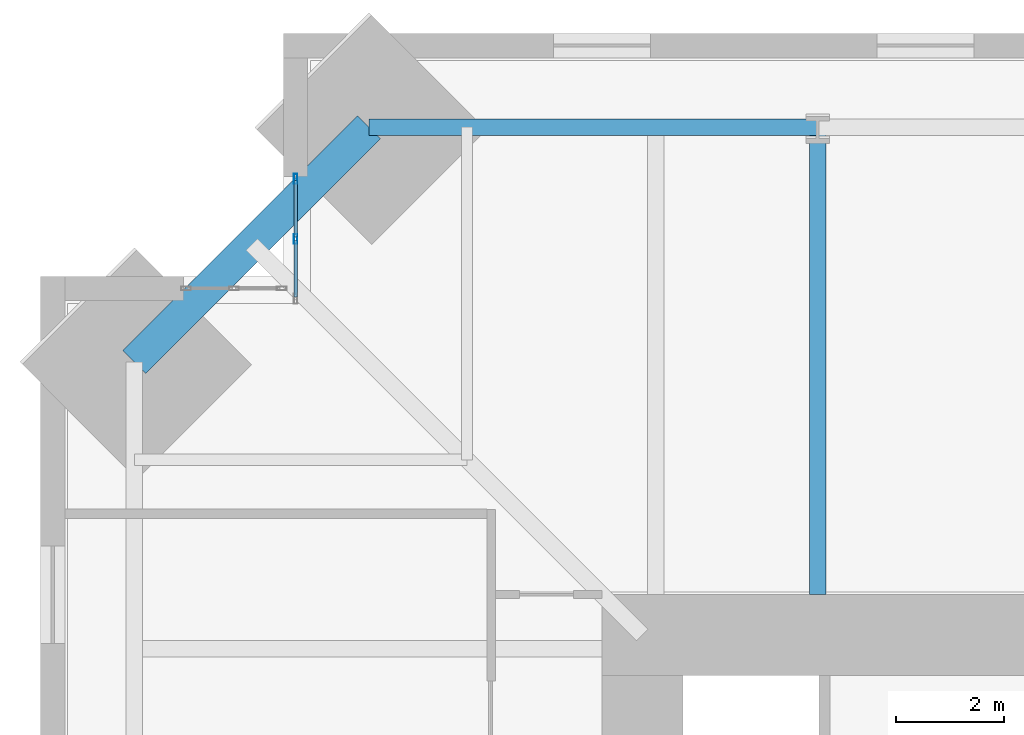
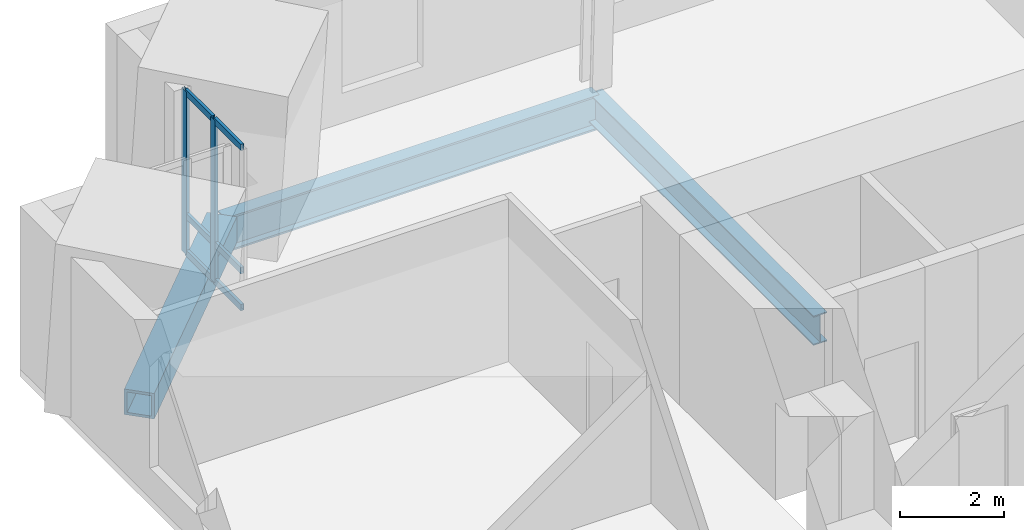
# One storey, part 7 of 17: 8 members, 3 beams, 1 element without a shape of its own.
"""IFC4 building model written with IfcOpenShell, lengths in metres."""

from ifc_helpers import new_model, si_unit, direction, frame, origin, origin_2d, place, context, subcontext, project, spatial, hollow_rectangle, i_section, extrude, material, material_profile, profile_set, type_object, element, aggregate, save


model = new_model("IFC4")

# Units and contexts
model_context = context("Model", 3, precision=1e-05, world=origin(), true_north=direction((0.0, 1.0)))
body_context = subcontext(model_context, "Body", "Model", "MODEL_VIEW")
ifc_project = project(units=[si_unit("LENGTHUNIT", "METRE"), si_unit("AREAUNIT", "SQUARE_METRE"), si_unit("VOLUMEUNIT", "CUBIC_METRE"), si_unit("PLANEANGLEUNIT", "RADIAN"), si_unit("MASSUNIT", "GRAM", prefix="KILO")], contexts=[model_context])

# Site, building, storey
site_placement = place(None, origin())
site = spatial("IfcSite", under=ifc_project, at=site_placement, CompositionType="ELEMENT")
building_placement = place(site_placement, origin())
building = spatial("IfcBuilding", under=site, at=building_placement, Name="Peilmerk Tower", CompositionType="ELEMENT")
storey_placement = place(building_placement, frame((0.0, 0.0, 253.800048828125)))
storey = spatial("IfcBuildingStorey", under=building, at=storey_placement, Name="L56", CompositionType="ELEMENT", Elevation=253.800048828125)

# Beams
ifc_material_1 = material(Name="Steel S355", Category="steel")
ifc_material_profile_1 = material_profile(ifc_material_1, i_section(OverallWidth=0.302978515625, OverallDepth=0.81396484375, WebThickness=0.02099609375, FlangeThickness=0.0400390625, at=origin_2d()), Name="HEM 800")
ifc_profile_set_1 = profile_set([ifc_material_profile_1], Name="Steel S355")
beam_type_1 = type_object("IfcBeamType", Name="B15 HEM 800 edge beam", PredefinedType="SPANDREL", material=ifc_profile_set_1)
beam_1_placement = place(storey_placement, frame((-8.0, 20.662841796875, -0.5771484375), z_axis=(-1.0, 0.0, 0.0), x_axis=(0.0, -1.0, 0.0)))
element("IfcBeam", 1, at=beam_1_placement, inside=storey, type_object=beam_type_1, Name="Edge beam L56", PredefinedType="SPANDREL", context=body_context, shape_type="SweptSolid", body=[
    extrude(i_section(OverallWidth=0.302978515625, OverallDepth=0.81396484375, WebThickness=0.02099609375, FlangeThickness=0.0400390625, at=origin_2d()), origin(), (0.0, 0.0, 1.0), 8.31298828125),
])
ifc_material_profile_2 = material_profile(ifc_material_1, i_section(OverallWidth=0.300048828125, OverallDepth=0.68994140625, WebThickness=0.014404296875, FlangeThickness=0.027099609375, at=origin_2d()), Name="HEA 700")
ifc_profile_set_2 = profile_set([ifc_material_profile_2], Name="Steel S355")
beam_type_2 = type_object("IfcBeamType", Name="B16 HEA 700 floor beam", PredefinedType="BEAM", material=ifc_profile_set_2)
beam_2_placement = place(storey_placement, frame((-8.0, 12.0, -0.51513671875), z_axis=(0.0, 1.0, 0.0), x_axis=(-1.0, 0.0, 0.0)))
element("IfcBeam", 2, at=beam_2_placement, inside=storey, type_object=beam_type_2, Name="Floor beam L56", PredefinedType="BEAM", context=body_context, shape_type="SweptSolid", body=[
    extrude(i_section(OverallWidth=0.300048828125, OverallDepth=0.68994140625, WebThickness=0.014404296875, FlangeThickness=0.027099609375, at=origin_2d()), origin(), (0.0, 0.0, 1.0), 8.662841796875),
])
ifc_material_2 = material(Name="Steel S460", Category="steel")
ifc_material_profile_3 = material_profile(ifc_material_2, hollow_rectangle(XDim=0.60009765625, YDim=0.60009765625, WallThickness=0.06005859375, at=origin_2d()), Name="BOX 600x600x60")
ifc_profile_set_3 = profile_set([ifc_material_profile_3], Name="Steel S460")
beam_type_3 = type_object("IfcBeamType", Name="B20 BOX 600x600x60 notch beam", PredefinedType="SPANDREL", material=ifc_profile_set_3)
beam_3_placement = place(storey_placement, frame((-20.662841796875, 16.31298828125, -0.469970703125), z_axis=(0.707106781187, 0.707106781187, 0.0), x_axis=(-0.707106781187, 0.707106781187, 0.0)))
element("IfcBeam", 3, at=beam_3_placement, inside=storey, type_object=beam_type_3, Name="Notch beam L56", PredefinedType="SPANDREL", context=body_context, shape_type="SweptSolid", body=[
    extrude(hollow_rectangle(XDim=0.60009765625, YDim=0.60009765625, WallThickness=0.06005859375, at=origin_2d()), origin(), (0.0, 0.0, 1.0), 6.151611328125),
])

# Curtain wall, members
ifc_material_3 = material(Name="Aluminium stick curtain wall", Category="aluminium")
curtain_wall_type = type_object("IfcCurtainWallType", Name="CW4 stick curtain wall, 2250 module", PredefinedType="NOTDEFINED", material=ifc_material_3)
curtain_wall_placement = place(storey_placement, origin())
curtain_wall = element("IfcCurtainWall", 4, at=curtain_wall_placement, inside=storey, type_object=curtain_wall_type, Name="Curtain wall CW4 NWA L56", PredefinedType="NOTDEFINED")
ifc_material_4 = material(Name="Aluminium EN AW-6063 T6", Category="aluminium")
ifc_material_profile_4 = material_profile(ifc_material_4, hollow_rectangle(XDim=0.06494140625, YDim=0.179931640625, WallThickness=0.0029296875, at=origin_2d()), Name="AL 180x65x3")
ifc_profile_set_4 = profile_set([ifc_material_profile_4], Name="Aluminium EN AW-6063 T6")
member_type_1 = type_object("IfcMemberType", Name="CW4-M AL 180x65x3 mullion", PredefinedType="MULLION", material=ifc_profile_set_4)
member_1_placement = place(storey_placement, frame((-17.675048828125, 18.59423828125, 0.0), z_axis=(0.0, 0.0, 1.0), x_axis=(-1.0, 0.0, 0.0)))
member_1 = element("IfcMember", 5, at=member_1_placement, type_object=member_type_1, Name="CW4 mullion 2", PredefinedType="MULLION", context=body_context, shape_type="SweptSolid", body=[
    extrude(hollow_rectangle(XDim=0.06494140625, YDim=0.179931640625, WallThickness=0.0029296875, at=origin_2d()), origin(), (0.0, 0.0, 1.0), 3.829833984375),
])
member_2_placement = place(storey_placement, frame((-17.675048828125, 19.706298828125, 0.0), z_axis=(0.0, 0.0, 1.0), x_axis=(-1.0, 0.0, 0.0)))
member_2 = element("IfcMember", 6, at=member_2_placement, type_object=member_type_1, Name="CW4 mullion 3", PredefinedType="MULLION", context=body_context, shape_type="SweptSolid", body=[
    extrude(hollow_rectangle(XDim=0.06494140625, YDim=0.179931640625, WallThickness=0.0029296875, at=origin_2d()), origin(), (0.0, 0.0, 1.0), 3.829833984375),
])
ifc_material_profile_5 = material_profile(ifc_material_4, hollow_rectangle(XDim=0.06494140625, YDim=0.14990234375, WallThickness=0.0029296875, at=origin_2d()), Name="AL 150x65x3")
ifc_profile_set_5 = profile_set([ifc_material_profile_5], Name="Aluminium EN AW-6063 T6")
member_type_2 = type_object("IfcMemberType", Name="CW4-T AL 150x65x3 transom", PredefinedType="USERDEFINED", material=ifc_profile_set_5)
member_3_placement = place(storey_placement, frame((-17.675048828125, 17.514892578125, 0.032470703125), z_axis=(0.0, 1.0, 0.0), x_axis=(-1.0, 0.0, 0.0)))
member_3 = element("IfcMember", 7, at=member_3_placement, type_object=member_type_2, Name="CW4 transom 1.1", ObjectType="TRANSOM", PredefinedType="USERDEFINED", context=body_context, shape_type="SweptSolid", body=[
    extrude(hollow_rectangle(XDim=0.06494140625, YDim=0.14990234375, WallThickness=0.0029296875, at=origin_2d()), origin(), (0.0, 0.0, 1.0), 1.046875),
])
member_4_placement = place(storey_placement, frame((-17.675048828125, 17.514892578125, 0.89990234375), z_axis=(0.0, 1.0, 0.0), x_axis=(-1.0, 0.0, 0.0)))
member_4 = element("IfcMember", 8, at=member_4_placement, type_object=member_type_2, Name="CW4 transom 1.2", ObjectType="TRANSOM", PredefinedType="USERDEFINED", context=body_context, shape_type="SweptSolid", body=[
    extrude(hollow_rectangle(XDim=0.06494140625, YDim=0.14990234375, WallThickness=0.0029296875, at=origin_2d()), origin(), (0.0, 0.0, 1.0), 1.046875),
])
member_5_placement = place(storey_placement, frame((-17.675048828125, 17.514892578125, 3.79736328125), z_axis=(0.0, 1.0, 0.0), x_axis=(-1.0, 0.0, 0.0)))
member_5 = element("IfcMember", 9, at=member_5_placement, type_object=member_type_2, Name="CW4 transom 1.3", ObjectType="TRANSOM", PredefinedType="USERDEFINED", context=body_context, shape_type="SweptSolid", body=[
    extrude(hollow_rectangle(XDim=0.06494140625, YDim=0.14990234375, WallThickness=0.0029296875, at=origin_2d()), origin(), (0.0, 0.0, 1.0), 1.046875),
])
member_6_placement = place(storey_placement, frame((-17.675048828125, 18.626953125, 0.032470703125), z_axis=(0.0, 1.0, 0.0), x_axis=(-1.0, 0.0, 0.0)))
member_6 = element("IfcMember", 10, at=member_6_placement, type_object=member_type_2, Name="CW4 transom 2.1", ObjectType="TRANSOM", PredefinedType="USERDEFINED", context=body_context, shape_type="SweptSolid", body=[
    extrude(hollow_rectangle(XDim=0.06494140625, YDim=0.14990234375, WallThickness=0.0029296875, at=origin_2d()), origin(), (0.0, 0.0, 1.0), 1.046630859375),
])
member_7_placement = place(storey_placement, frame((-17.675048828125, 18.626953125, 0.89990234375), z_axis=(0.0, 1.0, 0.0), x_axis=(-1.0, 0.0, 0.0)))
member_7 = element("IfcMember", 11, at=member_7_placement, type_object=member_type_2, Name="CW4 transom 2.2", ObjectType="TRANSOM", PredefinedType="USERDEFINED", context=body_context, shape_type="SweptSolid", body=[
    extrude(hollow_rectangle(XDim=0.06494140625, YDim=0.14990234375, WallThickness=0.0029296875, at=origin_2d()), origin(), (0.0, 0.0, 1.0), 1.046630859375),
])
member_8_placement = place(storey_placement, frame((-17.675048828125, 18.626953125, 3.79736328125), z_axis=(0.0, 1.0, 0.0), x_axis=(-1.0, 0.0, 0.0)))
member_8 = element("IfcMember", 12, at=member_8_placement, type_object=member_type_2, Name="CW4 transom 2.3", ObjectType="TRANSOM", PredefinedType="USERDEFINED", context=body_context, shape_type="SweptSolid", body=[
    extrude(hollow_rectangle(XDim=0.06494140625, YDim=0.14990234375, WallThickness=0.0029296875, at=origin_2d()), origin(), (0.0, 0.0, 1.0), 1.046630859375),
])
aggregate(curtain_wall, [member_1, member_2, member_3, member_4, member_5, member_6, member_7, member_8])

save(model, "model.ifc")
